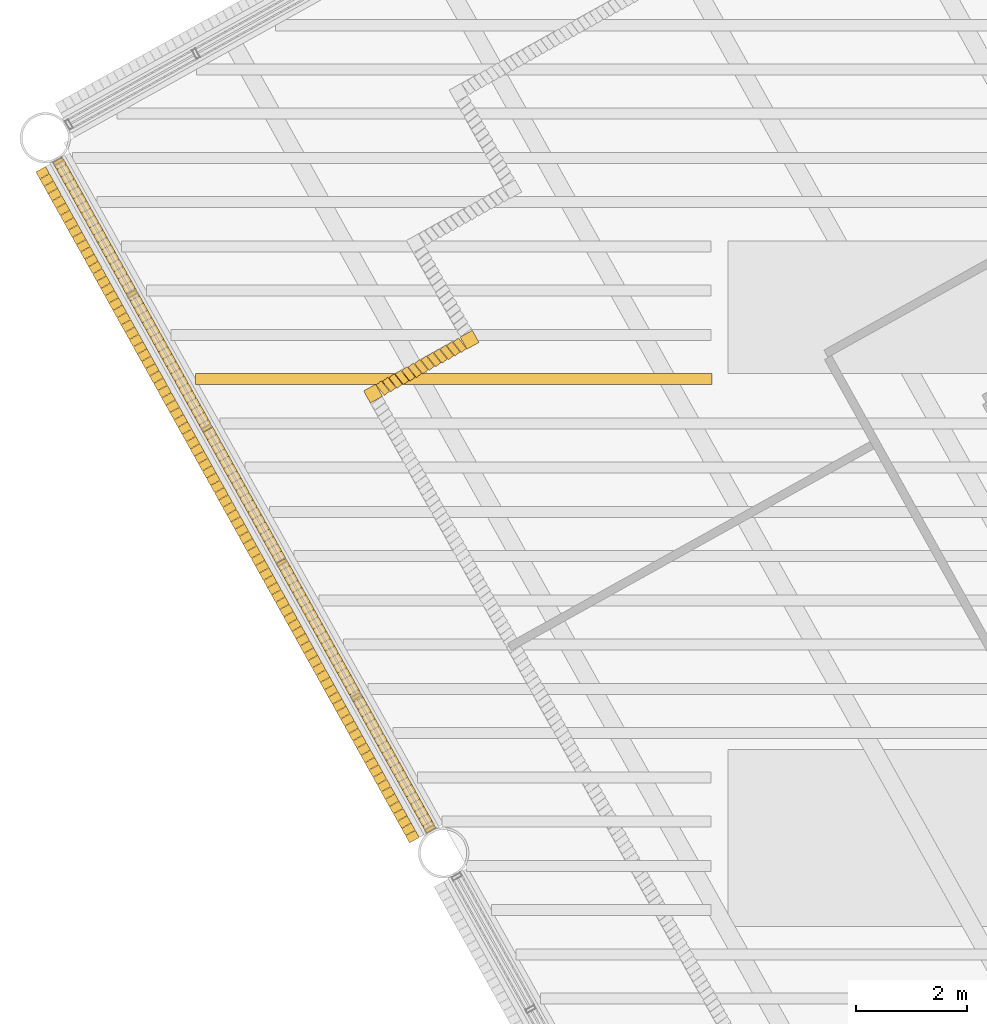
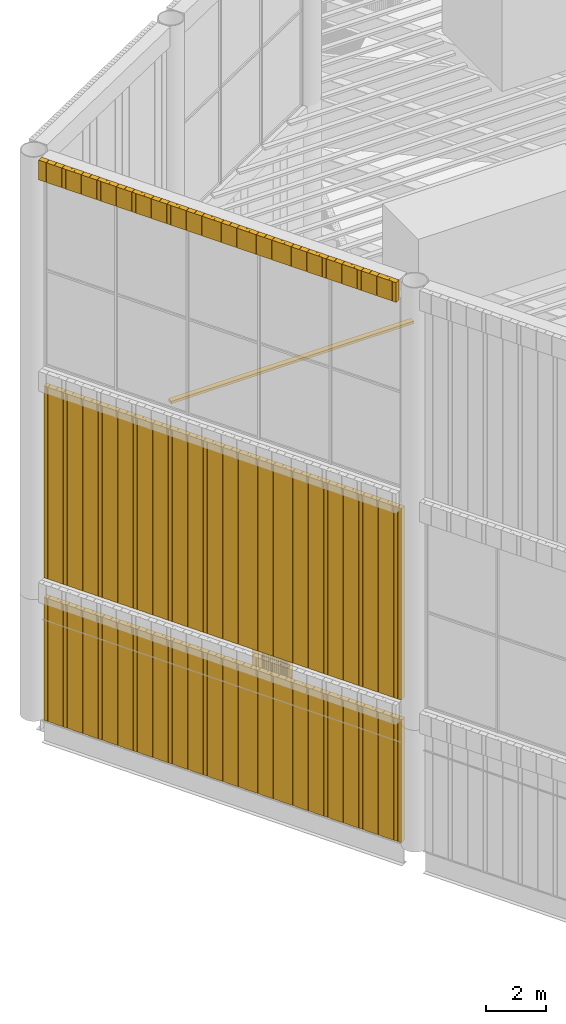
# One storey, part 90 of 117: 4 shading devices, 3 coverings.
"""IFC4 building model written with IfcOpenShell, lengths in metres."""

from ifc_helpers import new_model, si_unit, direction, frame, frame_2d, origin, origin_2d, place, context, subcontext, project, spatial, rectangle, composite_profile, extrude, material, type_object, element, save


model = new_model("IFC4")

# Units and contexts
model_context = context("Model", 3, precision=1e-05, world=origin(), true_north=direction((0.0, 1.0)))
body_context = subcontext(model_context, "Body", "Model", "MODEL_VIEW")
ifc_project = project(units=[si_unit("LENGTHUNIT", "METRE"), si_unit("AREAUNIT", "SQUARE_METRE"), si_unit("VOLUMEUNIT", "CUBIC_METRE"), si_unit("PLANEANGLEUNIT", "RADIAN"), si_unit("MASSUNIT", "GRAM", prefix="KILO")], contexts=[model_context])

# Site, building, storey
site_placement = place(None, origin())
site = spatial("IfcSite", under=ifc_project, at=site_placement, CompositionType="ELEMENT")
building_placement = place(site_placement, origin())
building = spatial("IfcBuilding", under=site, at=building_placement, Name="Tarsis Ring Headquarters", CompositionType="ELEMENT")
storey_placement = place(building_placement, frame((0.0, 0.0, 403.60009765625)))
storey = spatial("IfcBuildingStorey", under=building, at=storey_placement, Name="L95", CompositionType="ELEMENT", Elevation=403.60009765625)

# Coverings
ifc_material_1 = material(Name="Terracotta louvre", Category="masonry")
covering_type = type_object("IfcCoveringType", Name="Crown louvre fin", PredefinedType="CLADDING", material=ifc_material_1)
covering_1_placement = place(storey_placement, frame((-44.3701171875, -8.298095703125, 0.0), z_axis=(0.0, 0.0, 1.0), x_axis=(0.486646623415, -0.873604444679, 0.0)))
element("IfcCovering", 1, at=covering_1_placement, inside=storey, type_object=covering_type, Name="Crown louvre base 16", PredefinedType="CLADDING", context=body_context, shape_type="SweptSolid", body=[
    extrude(composite_profile([rectangle(XDim=0.14501953125, YDim=0.199951171875, at=frame_2d((0.072509765625, 0.0))), rectangle(XDim=0.14501953125, YDim=0.199951171875, at=frame_2d((0.223388671875, 0.0))), rectangle(XDim=0.14501953125, YDim=0.199951171875, at=frame_2d((0.37451171875, 0.0))), rectangle(XDim=0.14501953125, YDim=0.199951171875, at=frame_2d((0.525390625, 0.0))), rectangle(XDim=0.14501953125, YDim=0.199951171875, at=frame_2d((0.676513671875, 0.0))), rectangle(XDim=0.14501953125, YDim=0.199951171875, at=frame_2d((0.827392578125, 0.0))), rectangle(XDim=0.14501953125, YDim=0.199951171875, at=frame_2d((0.978515625, 0.0))), rectangle(XDim=0.14501953125, YDim=0.199951171875, at=frame_2d((1.12939453125, 0.0))), rectangle(XDim=0.14501953125, YDim=0.199951171875, at=frame_2d((1.280517578125, 0.0))), rectangle(XDim=0.14501953125, YDim=0.199951171875, at=frame_2d((1.431396484375, 0.0))), rectangle(XDim=0.14501953125, YDim=0.199951171875, at=frame_2d((1.58251953125, 0.0))), rectangle(XDim=0.14501953125, YDim=0.199951171875, at=frame_2d((1.7333984375, 0.0))), rectangle(XDim=0.14501953125, YDim=0.199951171875, at=frame_2d((1.884521484375, 0.0))), rectangle(XDim=0.14501953125, YDim=0.199951171875, at=frame_2d((2.035400390625, 0.0))), rectangle(XDim=0.14501953125, YDim=0.199951171875, at=frame_2d((2.1865234375, 0.0))), rectangle(XDim=0.14501953125, YDim=0.199951171875, at=frame_2d((2.33740234375, 0.0))), rectangle(XDim=0.14501953125, YDim=0.199951171875, at=frame_2d((2.488525390625, 0.0))), rectangle(XDim=0.14501953125, YDim=0.199951171875, at=frame_2d((2.639404296875, 0.0))), rectangle(XDim=0.14501953125, YDim=0.199951171875, at=frame_2d((2.79052734375, 0.0))), rectangle(XDim=0.14501953125, YDim=0.199951171875, at=frame_2d((2.94140625, 0.0))), rectangle(XDim=0.14501953125, YDim=0.199951171875, at=frame_2d((3.092529296875, 0.0))), rectangle(XDim=0.14501953125, YDim=0.199951171875, at=frame_2d((3.243408203125, 0.0))), rectangle(XDim=0.14501953125, YDim=0.199951171875, at=frame_2d((3.39453125, 0.0))), rectangle(XDim=0.14501953125, YDim=0.199951171875, at=frame_2d((3.54541015625, 0.0))), rectangle(XDim=0.14501953125, YDim=0.199951171875, at=frame_2d((3.696533203125, 0.0))), rectangle(XDim=0.14501953125, YDim=0.199951171875, at=frame_2d((3.847412109375, 0.0))), rectangle(XDim=0.14501953125, YDim=0.199951171875, at=frame_2d((3.99853515625, 0.0))), rectangle(XDim=0.14501953125, YDim=0.199951171875, at=frame_2d((4.1494140625, 0.0))), rectangle(XDim=0.14501953125, YDim=0.199951171875, at=frame_2d((4.300537109375, 0.0))), rectangle(XDim=0.14501953125, YDim=0.199951171875, at=frame_2d((4.451416015625, 0.0))), rectangle(XDim=0.14501953125, YDim=0.199951171875, at=frame_2d((4.6025390625, 0.0))), rectangle(XDim=0.14501953125, YDim=0.199951171875, at=frame_2d((4.75341796875, 0.0))), rectangle(XDim=0.14501953125, YDim=0.199951171875, at=frame_2d((4.904541015625, 0.0))), rectangle(XDim=0.14501953125, YDim=0.199951171875, at=frame_2d((5.055419921875, 0.0))), rectangle(XDim=0.14501953125, YDim=0.199951171875, at=frame_2d((5.20654296875, 0.0))), rectangle(XDim=0.14501953125, YDim=0.199951171875, at=frame_2d((5.357421875, 0.0))), rectangle(XDim=0.14501953125, YDim=0.199951171875, at=frame_2d((5.508544921875, 0.0))), rectangle(XDim=0.14501953125, YDim=0.199951171875, at=frame_2d((5.659423828125, 0.0))), rectangle(XDim=0.14501953125, YDim=0.199951171875, at=frame_2d((5.810546875, 0.0))), rectangle(XDim=0.14501953125, YDim=0.199951171875, at=frame_2d((5.96142578125, 0.0))), rectangle(XDim=0.14501953125, YDim=0.199951171875, at=frame_2d((6.112548828125, 0.0))), rectangle(XDim=0.14501953125, YDim=0.199951171875, at=frame_2d((6.263427734375, 0.0))), rectangle(XDim=0.14501953125, YDim=0.199951171875, at=frame_2d((6.41455078125, 0.0))), rectangle(XDim=0.14501953125, YDim=0.199951171875, at=frame_2d((6.5654296875, 0.0))), rectangle(XDim=0.14501953125, YDim=0.199951171875, at=frame_2d((6.716552734375, 0.0))), rectangle(XDim=0.14501953125, YDim=0.199951171875, at=frame_2d((6.867431640625, 0.0))), rectangle(XDim=0.14501953125, YDim=0.199951171875, at=frame_2d((7.0185546875, 0.0))), rectangle(XDim=0.14501953125, YDim=0.199951171875, at=frame_2d((7.16943359375, 0.0))), rectangle(XDim=0.14501953125, YDim=0.199951171875, at=frame_2d((7.320556640625, 0.0))), rectangle(XDim=0.14501953125, YDim=0.199951171875, at=frame_2d((7.471435546875, 0.0))), rectangle(XDim=0.14501953125, YDim=0.199951171875, at=frame_2d((7.62255859375, 0.0))), rectangle(XDim=0.14501953125, YDim=0.199951171875, at=frame_2d((7.7734375, 0.0))), rectangle(XDim=0.14501953125, YDim=0.199951171875, at=frame_2d((7.924560546875, 0.0))), rectangle(XDim=0.14501953125, YDim=0.199951171875, at=frame_2d((8.075439453125, 0.0))), rectangle(XDim=0.14501953125, YDim=0.199951171875, at=frame_2d((8.2265625, 0.0))), rectangle(XDim=0.14501953125, YDim=0.199951171875, at=frame_2d((8.37744140625, 0.0))), rectangle(XDim=0.14501953125, YDim=0.199951171875, at=frame_2d((8.528564453125, 0.0))), rectangle(XDim=0.14501953125, YDim=0.199951171875, at=frame_2d((8.679443359375, 0.0))), rectangle(XDim=0.14501953125, YDim=0.199951171875, at=frame_2d((8.83056640625, 0.0))), rectangle(XDim=0.14501953125, YDim=0.199951171875, at=frame_2d((8.9814453125, 0.0))), rectangle(XDim=0.14501953125, YDim=0.199951171875, at=frame_2d((9.132568359375, 0.0))), rectangle(XDim=0.14501953125, YDim=0.199951171875, at=frame_2d((9.283447265625, 0.0))), rectangle(XDim=0.14501953125, YDim=0.199951171875, at=frame_2d((9.4345703125, 0.0))), rectangle(XDim=0.14501953125, YDim=0.199951171875, at=frame_2d((9.58544921875, 0.0))), rectangle(XDim=0.14501953125, YDim=0.199951171875, at=frame_2d((9.736572265625, 0.0))), rectangle(XDim=0.14501953125, YDim=0.199951171875, at=frame_2d((9.887451171875, 0.0))), rectangle(XDim=0.14501953125, YDim=0.199951171875, at=frame_2d((10.03857421875, 0.0))), rectangle(XDim=0.14501953125, YDim=0.199951171875, at=frame_2d((10.189453125, 0.0))), rectangle(XDim=0.14501953125, YDim=0.199951171875, at=frame_2d((10.340576171875, 0.0))), rectangle(XDim=0.14501953125, YDim=0.199951171875, at=frame_2d((10.491455078125, 0.0))), rectangle(XDim=0.14501953125, YDim=0.199951171875, at=frame_2d((10.642578125, 0.0))), rectangle(XDim=0.14501953125, YDim=0.199951171875, at=frame_2d((10.79345703125, 0.0))), rectangle(XDim=0.14501953125, YDim=0.199951171875, at=frame_2d((10.944580078125, 0.0))), rectangle(XDim=0.14501953125, YDim=0.199951171875, at=frame_2d((11.095458984375, 0.0))), rectangle(XDim=0.14501953125, YDim=0.199951171875, at=frame_2d((11.24658203125, 0.0))), rectangle(XDim=0.14501953125, YDim=0.199951171875, at=frame_2d((11.3974609375, 0.0))), rectangle(XDim=0.14501953125, YDim=0.199951171875, at=frame_2d((11.548583984375, 0.0))), rectangle(XDim=0.14501953125, YDim=0.199951171875, at=frame_2d((11.699462890625, 0.0))), rectangle(XDim=0.14501953125, YDim=0.199951171875, at=frame_2d((11.8505859375, 0.0))), rectangle(XDim=0.14501953125, YDim=0.199951171875, at=frame_2d((12.00146484375, 0.0))), rectangle(XDim=0.14501953125, YDim=0.199951171875, at=frame_2d((12.152587890625, 0.0))), rectangle(XDim=0.14501953125, YDim=0.199951171875, at=frame_2d((12.303466796875, 0.0))), rectangle(XDim=0.14501953125, YDim=0.199951171875, at=frame_2d((12.45458984375, 0.0))), rectangle(XDim=0.14501953125, YDim=0.199951171875, at=frame_2d((12.60546875, 0.0))), rectangle(XDim=0.14501953125, YDim=0.199951171875, at=frame_2d((12.756591796875, 0.0))), rectangle(XDim=0.14501953125, YDim=0.199951171875, at=frame_2d((12.907470703125, 0.0))), rectangle(XDim=0.14501953125, YDim=0.199951171875, at=frame_2d((13.05859375, 0.0))), rectangle(XDim=0.14501953125, YDim=0.199951171875, at=frame_2d((13.20947265625, 0.0))), rectangle(XDim=0.14501953125, YDim=0.199951171875, at=frame_2d((13.360595703125, 0.0))), rectangle(XDim=0.14501953125, YDim=0.199951171875, at=frame_2d((13.511474609375, 0.0))), rectangle(XDim=0.14501953125, YDim=0.199951171875, at=frame_2d((13.66259765625, 0.0))), rectangle(XDim=0.14501953125, YDim=0.199951171875, at=frame_2d((13.8134765625, 0.0)))]), origin(), (0.0, 0.0, 1.0), 5.0),
])
covering_2_placement = place(storey_placement, frame((-44.67578125, -8.468505859375, 22.199951171875), z_axis=(0.0, 0.0, 1.0), x_axis=(0.486629041616, -0.873604444679, 0.0)))
element("IfcCovering", 2, at=covering_2_placement, inside=storey, type_object=covering_type, Name="Crown louvre fascia T16", PredefinedType="CLADDING", context=body_context, shape_type="SweptSolid", body=[
    extrude(composite_profile([rectangle(XDim=0.14501953125, YDim=0.199951171875, at=frame_2d((0.072509765625, 0.0))), rectangle(XDim=0.14501953125, YDim=0.199951171875, at=frame_2d((0.223388671875, 0.0))), rectangle(XDim=0.14501953125, YDim=0.199951171875, at=frame_2d((0.37451171875, 0.0))), rectangle(XDim=0.14501953125, YDim=0.199951171875, at=frame_2d((0.525390625, 0.0))), rectangle(XDim=0.14501953125, YDim=0.199951171875, at=frame_2d((0.676513671875, 0.0))), rectangle(XDim=0.14501953125, YDim=0.199951171875, at=frame_2d((0.827392578125, 0.0))), rectangle(XDim=0.14501953125, YDim=0.199951171875, at=frame_2d((0.978515625, 0.0))), rectangle(XDim=0.14501953125, YDim=0.199951171875, at=frame_2d((1.12939453125, 0.0))), rectangle(XDim=0.14501953125, YDim=0.199951171875, at=frame_2d((1.280517578125, 0.0))), rectangle(XDim=0.14501953125, YDim=0.199951171875, at=frame_2d((1.431396484375, 0.0))), rectangle(XDim=0.14501953125, YDim=0.199951171875, at=frame_2d((1.58251953125, 0.0))), rectangle(XDim=0.14501953125, YDim=0.199951171875, at=frame_2d((1.7333984375, 0.0))), rectangle(XDim=0.14501953125, YDim=0.199951171875, at=frame_2d((1.884521484375, 0.0))), rectangle(XDim=0.14501953125, YDim=0.199951171875, at=frame_2d((2.035400390625, 0.0))), rectangle(XDim=0.14501953125, YDim=0.199951171875, at=frame_2d((2.1865234375, 0.0))), rectangle(XDim=0.14501953125, YDim=0.199951171875, at=frame_2d((2.33740234375, 0.0))), rectangle(XDim=0.14501953125, YDim=0.199951171875, at=frame_2d((2.488525390625, 0.0))), rectangle(XDim=0.14501953125, YDim=0.199951171875, at=frame_2d((2.639404296875, 0.0))), rectangle(XDim=0.14501953125, YDim=0.199951171875, at=frame_2d((2.79052734375, 0.0))), rectangle(XDim=0.14501953125, YDim=0.199951171875, at=frame_2d((2.94140625, 0.0))), rectangle(XDim=0.14501953125, YDim=0.199951171875, at=frame_2d((3.092529296875, 0.0))), rectangle(XDim=0.14501953125, YDim=0.199951171875, at=frame_2d((3.243408203125, 0.0))), rectangle(XDim=0.14501953125, YDim=0.199951171875, at=frame_2d((3.39453125, 0.0))), rectangle(XDim=0.14501953125, YDim=0.199951171875, at=frame_2d((3.54541015625, 0.0))), rectangle(XDim=0.14501953125, YDim=0.199951171875, at=frame_2d((3.696533203125, 0.0))), rectangle(XDim=0.14501953125, YDim=0.199951171875, at=frame_2d((3.847412109375, 0.0))), rectangle(XDim=0.14501953125, YDim=0.199951171875, at=frame_2d((3.99853515625, 0.0))), rectangle(XDim=0.14501953125, YDim=0.199951171875, at=frame_2d((4.1494140625, 0.0))), rectangle(XDim=0.14501953125, YDim=0.199951171875, at=frame_2d((4.300537109375, 0.0))), rectangle(XDim=0.14501953125, YDim=0.199951171875, at=frame_2d((4.451416015625, 0.0))), rectangle(XDim=0.14501953125, YDim=0.199951171875, at=frame_2d((4.6025390625, 0.0))), rectangle(XDim=0.14501953125, YDim=0.199951171875, at=frame_2d((4.75341796875, 0.0))), rectangle(XDim=0.14501953125, YDim=0.199951171875, at=frame_2d((4.904541015625, 0.0))), rectangle(XDim=0.14501953125, YDim=0.199951171875, at=frame_2d((5.055419921875, 0.0))), rectangle(XDim=0.14501953125, YDim=0.199951171875, at=frame_2d((5.20654296875, 0.0))), rectangle(XDim=0.14501953125, YDim=0.199951171875, at=frame_2d((5.357421875, 0.0))), rectangle(XDim=0.14501953125, YDim=0.199951171875, at=frame_2d((5.508544921875, 0.0))), rectangle(XDim=0.14501953125, YDim=0.199951171875, at=frame_2d((5.659423828125, 0.0))), rectangle(XDim=0.14501953125, YDim=0.199951171875, at=frame_2d((5.810546875, 0.0))), rectangle(XDim=0.14501953125, YDim=0.199951171875, at=frame_2d((5.96142578125, 0.0))), rectangle(XDim=0.14501953125, YDim=0.199951171875, at=frame_2d((6.112548828125, 0.0))), rectangle(XDim=0.14501953125, YDim=0.199951171875, at=frame_2d((6.263427734375, 0.0))), rectangle(XDim=0.14501953125, YDim=0.199951171875, at=frame_2d((6.41455078125, 0.0))), rectangle(XDim=0.14501953125, YDim=0.199951171875, at=frame_2d((6.5654296875, 0.0))), rectangle(XDim=0.14501953125, YDim=0.199951171875, at=frame_2d((6.716552734375, 0.0))), rectangle(XDim=0.14501953125, YDim=0.199951171875, at=frame_2d((6.867431640625, 0.0))), rectangle(XDim=0.14501953125, YDim=0.199951171875, at=frame_2d((7.0185546875, 0.0))), rectangle(XDim=0.14501953125, YDim=0.199951171875, at=frame_2d((7.16943359375, 0.0))), rectangle(XDim=0.14501953125, YDim=0.199951171875, at=frame_2d((7.320556640625, 0.0))), rectangle(XDim=0.14501953125, YDim=0.199951171875, at=frame_2d((7.471435546875, 0.0))), rectangle(XDim=0.14501953125, YDim=0.199951171875, at=frame_2d((7.62255859375, 0.0))), rectangle(XDim=0.14501953125, YDim=0.199951171875, at=frame_2d((7.7734375, 0.0))), rectangle(XDim=0.14501953125, YDim=0.199951171875, at=frame_2d((7.924560546875, 0.0))), rectangle(XDim=0.14501953125, YDim=0.199951171875, at=frame_2d((8.075439453125, 0.0))), rectangle(XDim=0.14501953125, YDim=0.199951171875, at=frame_2d((8.2265625, 0.0))), rectangle(XDim=0.14501953125, YDim=0.199951171875, at=frame_2d((8.37744140625, 0.0))), rectangle(XDim=0.14501953125, YDim=0.199951171875, at=frame_2d((8.528564453125, 0.0))), rectangle(XDim=0.14501953125, YDim=0.199951171875, at=frame_2d((8.679443359375, 0.0))), rectangle(XDim=0.14501953125, YDim=0.199951171875, at=frame_2d((8.83056640625, 0.0))), rectangle(XDim=0.14501953125, YDim=0.199951171875, at=frame_2d((8.9814453125, 0.0))), rectangle(XDim=0.14501953125, YDim=0.199951171875, at=frame_2d((9.132568359375, 0.0))), rectangle(XDim=0.14501953125, YDim=0.199951171875, at=frame_2d((9.283447265625, 0.0))), rectangle(XDim=0.14501953125, YDim=0.199951171875, at=frame_2d((9.4345703125, 0.0))), rectangle(XDim=0.14501953125, YDim=0.199951171875, at=frame_2d((9.58544921875, 0.0))), rectangle(XDim=0.14501953125, YDim=0.199951171875, at=frame_2d((9.736572265625, 0.0))), rectangle(XDim=0.14501953125, YDim=0.199951171875, at=frame_2d((9.887451171875, 0.0))), rectangle(XDim=0.14501953125, YDim=0.199951171875, at=frame_2d((10.03857421875, 0.0))), rectangle(XDim=0.14501953125, YDim=0.199951171875, at=frame_2d((10.189453125, 0.0))), rectangle(XDim=0.14501953125, YDim=0.199951171875, at=frame_2d((10.340576171875, 0.0))), rectangle(XDim=0.14501953125, YDim=0.199951171875, at=frame_2d((10.491455078125, 0.0))), rectangle(XDim=0.14501953125, YDim=0.199951171875, at=frame_2d((10.642578125, 0.0))), rectangle(XDim=0.14501953125, YDim=0.199951171875, at=frame_2d((10.79345703125, 0.0))), rectangle(XDim=0.14501953125, YDim=0.199951171875, at=frame_2d((10.944580078125, 0.0))), rectangle(XDim=0.14501953125, YDim=0.199951171875, at=frame_2d((11.095458984375, 0.0))), rectangle(XDim=0.14501953125, YDim=0.199951171875, at=frame_2d((11.24658203125, 0.0))), rectangle(XDim=0.14501953125, YDim=0.199951171875, at=frame_2d((11.3974609375, 0.0))), rectangle(XDim=0.14501953125, YDim=0.199951171875, at=frame_2d((11.548583984375, 0.0))), rectangle(XDim=0.14501953125, YDim=0.199951171875, at=frame_2d((11.699462890625, 0.0))), rectangle(XDim=0.14501953125, YDim=0.199951171875, at=frame_2d((11.8505859375, 0.0))), rectangle(XDim=0.14501953125, YDim=0.199951171875, at=frame_2d((12.00146484375, 0.0))), rectangle(XDim=0.14501953125, YDim=0.199951171875, at=frame_2d((12.152587890625, 0.0))), rectangle(XDim=0.14501953125, YDim=0.199951171875, at=frame_2d((12.303466796875, 0.0))), rectangle(XDim=0.14501953125, YDim=0.199951171875, at=frame_2d((12.45458984375, 0.0))), rectangle(XDim=0.14501953125, YDim=0.199951171875, at=frame_2d((12.60546875, 0.0))), rectangle(XDim=0.14501953125, YDim=0.199951171875, at=frame_2d((12.756591796875, 0.0))), rectangle(XDim=0.14501953125, YDim=0.199951171875, at=frame_2d((12.907470703125, 0.0))), rectangle(XDim=0.14501953125, YDim=0.199951171875, at=frame_2d((13.05859375, 0.0))), rectangle(XDim=0.14501953125, YDim=0.199951171875, at=frame_2d((13.20947265625, 0.0))), rectangle(XDim=0.14501953125, YDim=0.199951171875, at=frame_2d((13.360595703125, 0.0))), rectangle(XDim=0.14501953125, YDim=0.199951171875, at=frame_2d((13.511474609375, 0.0))), rectangle(XDim=0.14501953125, YDim=0.199951171875, at=frame_2d((13.66259765625, 0.0))), rectangle(XDim=0.14501953125, YDim=0.199951171875, at=frame_2d((13.8134765625, 0.0)))]), origin(), (0.0, 0.0, 1.0), 0.800048828125),
])
covering_3_placement = place(storey_placement, frame((-44.3701171875, -8.298095703125, 5.7998046875), z_axis=(0.0, 0.0, 1.0), x_axis=(0.486646623415, -0.873604444679, 0.0)))
element("IfcCovering", 3, at=covering_3_placement, inside=storey, type_object=covering_type, Name="Crown louvre L16", PredefinedType="CLADDING", context=body_context, shape_type="SweptSolid", body=[
    extrude(composite_profile([rectangle(XDim=0.14501953125, YDim=0.199951171875, at=frame_2d((0.072509765625, 0.0))), rectangle(XDim=0.14501953125, YDim=0.199951171875, at=frame_2d((0.223388671875, 0.0))), rectangle(XDim=0.14501953125, YDim=0.199951171875, at=frame_2d((0.37451171875, 0.0))), rectangle(XDim=0.14501953125, YDim=0.199951171875, at=frame_2d((0.525390625, 0.0))), rectangle(XDim=0.14501953125, YDim=0.199951171875, at=frame_2d((0.676513671875, 0.0))), rectangle(XDim=0.14501953125, YDim=0.199951171875, at=frame_2d((0.827392578125, 0.0))), rectangle(XDim=0.14501953125, YDim=0.199951171875, at=frame_2d((0.978515625, 0.0))), rectangle(XDim=0.14501953125, YDim=0.199951171875, at=frame_2d((1.12939453125, 0.0))), rectangle(XDim=0.14501953125, YDim=0.199951171875, at=frame_2d((1.280517578125, 0.0))), rectangle(XDim=0.14501953125, YDim=0.199951171875, at=frame_2d((1.431396484375, 0.0))), rectangle(XDim=0.14501953125, YDim=0.199951171875, at=frame_2d((1.58251953125, 0.0))), rectangle(XDim=0.14501953125, YDim=0.199951171875, at=frame_2d((1.7333984375, 0.0))), rectangle(XDim=0.14501953125, YDim=0.199951171875, at=frame_2d((1.884521484375, 0.0))), rectangle(XDim=0.14501953125, YDim=0.199951171875, at=frame_2d((2.035400390625, 0.0))), rectangle(XDim=0.14501953125, YDim=0.199951171875, at=frame_2d((2.1865234375, 0.0))), rectangle(XDim=0.14501953125, YDim=0.199951171875, at=frame_2d((2.33740234375, 0.0))), rectangle(XDim=0.14501953125, YDim=0.199951171875, at=frame_2d((2.488525390625, 0.0))), rectangle(XDim=0.14501953125, YDim=0.199951171875, at=frame_2d((2.639404296875, 0.0))), rectangle(XDim=0.14501953125, YDim=0.199951171875, at=frame_2d((2.79052734375, 0.0))), rectangle(XDim=0.14501953125, YDim=0.199951171875, at=frame_2d((2.94140625, 0.0))), rectangle(XDim=0.14501953125, YDim=0.199951171875, at=frame_2d((3.092529296875, 0.0))), rectangle(XDim=0.14501953125, YDim=0.199951171875, at=frame_2d((3.243408203125, 0.0))), rectangle(XDim=0.14501953125, YDim=0.199951171875, at=frame_2d((3.39453125, 0.0))), rectangle(XDim=0.14501953125, YDim=0.199951171875, at=frame_2d((3.54541015625, 0.0))), rectangle(XDim=0.14501953125, YDim=0.199951171875, at=frame_2d((3.696533203125, 0.0))), rectangle(XDim=0.14501953125, YDim=0.199951171875, at=frame_2d((3.847412109375, 0.0))), rectangle(XDim=0.14501953125, YDim=0.199951171875, at=frame_2d((3.99853515625, 0.0))), rectangle(XDim=0.14501953125, YDim=0.199951171875, at=frame_2d((4.1494140625, 0.0))), rectangle(XDim=0.14501953125, YDim=0.199951171875, at=frame_2d((4.300537109375, 0.0))), rectangle(XDim=0.14501953125, YDim=0.199951171875, at=frame_2d((4.451416015625, 0.0))), rectangle(XDim=0.14501953125, YDim=0.199951171875, at=frame_2d((4.6025390625, 0.0))), rectangle(XDim=0.14501953125, YDim=0.199951171875, at=frame_2d((4.75341796875, 0.0))), rectangle(XDim=0.14501953125, YDim=0.199951171875, at=frame_2d((4.904541015625, 0.0))), rectangle(XDim=0.14501953125, YDim=0.199951171875, at=frame_2d((5.055419921875, 0.0))), rectangle(XDim=0.14501953125, YDim=0.199951171875, at=frame_2d((5.20654296875, 0.0))), rectangle(XDim=0.14501953125, YDim=0.199951171875, at=frame_2d((5.357421875, 0.0))), rectangle(XDim=0.14501953125, YDim=0.199951171875, at=frame_2d((5.508544921875, 0.0))), rectangle(XDim=0.14501953125, YDim=0.199951171875, at=frame_2d((5.659423828125, 0.0))), rectangle(XDim=0.14501953125, YDim=0.199951171875, at=frame_2d((5.810546875, 0.0))), rectangle(XDim=0.14501953125, YDim=0.199951171875, at=frame_2d((5.96142578125, 0.0))), rectangle(XDim=0.14501953125, YDim=0.199951171875, at=frame_2d((6.112548828125, 0.0))), rectangle(XDim=0.14501953125, YDim=0.199951171875, at=frame_2d((6.263427734375, 0.0))), rectangle(XDim=0.14501953125, YDim=0.199951171875, at=frame_2d((6.41455078125, 0.0))), rectangle(XDim=0.14501953125, YDim=0.199951171875, at=frame_2d((6.5654296875, 0.0))), rectangle(XDim=0.14501953125, YDim=0.199951171875, at=frame_2d((6.716552734375, 0.0))), rectangle(XDim=0.14501953125, YDim=0.199951171875, at=frame_2d((6.867431640625, 0.0))), rectangle(XDim=0.14501953125, YDim=0.199951171875, at=frame_2d((7.0185546875, 0.0))), rectangle(XDim=0.14501953125, YDim=0.199951171875, at=frame_2d((7.16943359375, 0.0))), rectangle(XDim=0.14501953125, YDim=0.199951171875, at=frame_2d((7.320556640625, 0.0))), rectangle(XDim=0.14501953125, YDim=0.199951171875, at=frame_2d((7.471435546875, 0.0))), rectangle(XDim=0.14501953125, YDim=0.199951171875, at=frame_2d((7.62255859375, 0.0))), rectangle(XDim=0.14501953125, YDim=0.199951171875, at=frame_2d((7.7734375, 0.0))), rectangle(XDim=0.14501953125, YDim=0.199951171875, at=frame_2d((7.924560546875, 0.0))), rectangle(XDim=0.14501953125, YDim=0.199951171875, at=frame_2d((8.075439453125, 0.0))), rectangle(XDim=0.14501953125, YDim=0.199951171875, at=frame_2d((8.2265625, 0.0))), rectangle(XDim=0.14501953125, YDim=0.199951171875, at=frame_2d((8.37744140625, 0.0))), rectangle(XDim=0.14501953125, YDim=0.199951171875, at=frame_2d((8.528564453125, 0.0))), rectangle(XDim=0.14501953125, YDim=0.199951171875, at=frame_2d((8.679443359375, 0.0))), rectangle(XDim=0.14501953125, YDim=0.199951171875, at=frame_2d((8.83056640625, 0.0))), rectangle(XDim=0.14501953125, YDim=0.199951171875, at=frame_2d((8.9814453125, 0.0))), rectangle(XDim=0.14501953125, YDim=0.199951171875, at=frame_2d((9.132568359375, 0.0))), rectangle(XDim=0.14501953125, YDim=0.199951171875, at=frame_2d((9.283447265625, 0.0))), rectangle(XDim=0.14501953125, YDim=0.199951171875, at=frame_2d((9.4345703125, 0.0))), rectangle(XDim=0.14501953125, YDim=0.199951171875, at=frame_2d((9.58544921875, 0.0))), rectangle(XDim=0.14501953125, YDim=0.199951171875, at=frame_2d((9.736572265625, 0.0))), rectangle(XDim=0.14501953125, YDim=0.199951171875, at=frame_2d((9.887451171875, 0.0))), rectangle(XDim=0.14501953125, YDim=0.199951171875, at=frame_2d((10.03857421875, 0.0))), rectangle(XDim=0.14501953125, YDim=0.199951171875, at=frame_2d((10.189453125, 0.0))), rectangle(XDim=0.14501953125, YDim=0.199951171875, at=frame_2d((10.340576171875, 0.0))), rectangle(XDim=0.14501953125, YDim=0.199951171875, at=frame_2d((10.491455078125, 0.0))), rectangle(XDim=0.14501953125, YDim=0.199951171875, at=frame_2d((10.642578125, 0.0))), rectangle(XDim=0.14501953125, YDim=0.199951171875, at=frame_2d((10.79345703125, 0.0))), rectangle(XDim=0.14501953125, YDim=0.199951171875, at=frame_2d((10.944580078125, 0.0))), rectangle(XDim=0.14501953125, YDim=0.199951171875, at=frame_2d((11.095458984375, 0.0))), rectangle(XDim=0.14501953125, YDim=0.199951171875, at=frame_2d((11.24658203125, 0.0))), rectangle(XDim=0.14501953125, YDim=0.199951171875, at=frame_2d((11.3974609375, 0.0))), rectangle(XDim=0.14501953125, YDim=0.199951171875, at=frame_2d((11.548583984375, 0.0))), rectangle(XDim=0.14501953125, YDim=0.199951171875, at=frame_2d((11.699462890625, 0.0))), rectangle(XDim=0.14501953125, YDim=0.199951171875, at=frame_2d((11.8505859375, 0.0))), rectangle(XDim=0.14501953125, YDim=0.199951171875, at=frame_2d((12.00146484375, 0.0))), rectangle(XDim=0.14501953125, YDim=0.199951171875, at=frame_2d((12.152587890625, 0.0))), rectangle(XDim=0.14501953125, YDim=0.199951171875, at=frame_2d((12.303466796875, 0.0))), rectangle(XDim=0.14501953125, YDim=0.199951171875, at=frame_2d((12.45458984375, 0.0))), rectangle(XDim=0.14501953125, YDim=0.199951171875, at=frame_2d((12.60546875, 0.0))), rectangle(XDim=0.14501953125, YDim=0.199951171875, at=frame_2d((12.756591796875, 0.0))), rectangle(XDim=0.14501953125, YDim=0.199951171875, at=frame_2d((12.907470703125, 0.0))), rectangle(XDim=0.14501953125, YDim=0.199951171875, at=frame_2d((13.05859375, 0.0))), rectangle(XDim=0.14501953125, YDim=0.199951171875, at=frame_2d((13.20947265625, 0.0))), rectangle(XDim=0.14501953125, YDim=0.199951171875, at=frame_2d((13.360595703125, 0.0))), rectangle(XDim=0.14501953125, YDim=0.199951171875, at=frame_2d((13.511474609375, 0.0))), rectangle(XDim=0.14501953125, YDim=0.199951171875, at=frame_2d((13.66259765625, 0.0))), rectangle(XDim=0.14501953125, YDim=0.199951171875, at=frame_2d((13.8134765625, 0.0)))]), origin(), (0.0, 0.0, 1.0), 7.800048828125),
])

# Shading devices
ifc_material_2 = material(Name="Aluminium louvre", Category="aluminium")
shading_device_type_1 = type_object("IfcShadingDeviceType", Name="Crown roof louvre blade", PredefinedType="USERDEFINED", material=ifc_material_2)
shading_device_1_placement = place(storey_placement, frame((-37.204833984375, -12.26416015625, 14.39990234375), z_axis=(0.0, 0.0, 1.0), x_axis=(1.0, 0.0, 0.0)))
element("IfcShadingDevice", 4, at=shading_device_1_placement, inside=storey, type_object=shading_device_type_1, Name="Crown roof louvre 47", ObjectType="Crown roof louvre", PredefinedType="USERDEFINED", context=body_context, shape_type="SweptSolid", body=[
    extrude(rectangle(XDim=9.33984375, YDim=0.199951171875, at=origin_2d()), origin(), (0.0, 0.0, 1.0), 0.10009765625),
])
shading_device_type_2 = type_object("IfcShadingDeviceType", Name="Plant louvre fin", PredefinedType="USERDEFINED", material=ifc_material_2)
shading_device_2_placement = place(storey_placement, frame((-37.029296875, -11.61279296875, 0.0), z_axis=(0.0, 0.0, 1.0), x_axis=(-0.873604910714, -0.486607142857, 0.0)))
element("IfcShadingDevice", 5, at=shading_device_2_placement, inside=storey, type_object=shading_device_type_2, Name="Louvre L95-35", ObjectType="Louvre", PredefinedType="USERDEFINED", context=body_context, shape_type="SweptSolid", body=[
    extrude(composite_profile([rectangle(XDim=0.1201171875, YDim=0.239990234375, at=frame_2d((0.078125, 0.0), x_axis=(0.987688340595, 0.15643446504))), rectangle(XDim=0.1201171875, YDim=0.239990234375, at=frame_2d((0.2109375, 0.0), x_axis=(0.987688340595, 0.15643446504))), rectangle(XDim=0.1201171875, YDim=0.239990234375, at=frame_2d((0.34375, 0.0), x_axis=(0.987688340595, 0.15643446504))), rectangle(XDim=0.1201171875, YDim=0.239990234375, at=frame_2d((0.4765625, 0.0), x_axis=(0.987688340595, 0.15643446504))), rectangle(XDim=0.1201171875, YDim=0.239990234375, at=frame_2d((0.609375, 0.0), x_axis=(0.987688340595, 0.15643446504))), rectangle(XDim=0.1201171875, YDim=0.239990234375, at=frame_2d((0.7421875, 0.0), x_axis=(0.987688340595, 0.15643446504))), rectangle(XDim=0.1201171875, YDim=0.239990234375, at=frame_2d((0.875, 0.0), x_axis=(0.987688340595, 0.15643446504))), rectangle(XDim=0.1201171875, YDim=0.239990234375, at=frame_2d((1.0078125, 0.0), x_axis=(0.987688340595, 0.15643446504))), rectangle(XDim=0.1201171875, YDim=0.239990234375, at=frame_2d((1.140625, 0.0), x_axis=(0.987688340595, 0.15643446504))), rectangle(XDim=0.1201171875, YDim=0.239990234375, at=frame_2d((1.2734375, 0.0), x_axis=(0.987688340595, 0.15643446504))), rectangle(XDim=0.1201171875, YDim=0.239990234375, at=frame_2d((1.40625, 0.0), x_axis=(0.987688340595, 0.15643446504))), rectangle(XDim=0.1201171875, YDim=0.239990234375, at=frame_2d((1.5390625, 0.0), x_axis=(0.987688340595, 0.15643446504))), rectangle(XDim=0.1201171875, YDim=0.239990234375, at=frame_2d((1.671875, 0.0), x_axis=(0.987688340595, 0.15643446504)))]), origin(), (0.0, 0.0, 1.0), 4.699951171875),
])
ifc_material_3 = material(Name="Terracotta baguette", Category="masonry")
shading_device_type_3 = type_object("IfcShadingDeviceType", Name="Terracotta corner baguette 250x250", PredefinedType="USERDEFINED", material=ifc_material_3)
for number, where, z_axis, x_axis, name in (
    (6, (-36.919921875, -11.552001953125, 0.0), (0.0, 0.0, 1.0), (0.48664064453, -0.873602245356, 0.0), "Corner baguette L95-35"),
    (7, (-38.667236328125, -12.525146484375, 0.0), (0.0, 0.0, 1.0), (-0.873602364265, -0.486640431068, 0.0), "Corner baguette L95-36"),
):
    element("IfcShadingDevice", number, at=place(storey_placement, frame(where, z_axis=z_axis, x_axis=x_axis)), inside=storey, type_object=shading_device_type_3, Name=name, ObjectType="Terracotta corner baguette", PredefinedType="USERDEFINED", context=body_context, shape_type="SweptSolid", body=[
        extrude(rectangle(XDim=0.25, YDim=0.25, at=origin_2d()), origin(), (0.0, 0.0, 1.0), 4.699951171875),
    ])

save(model, "model.ifc")
